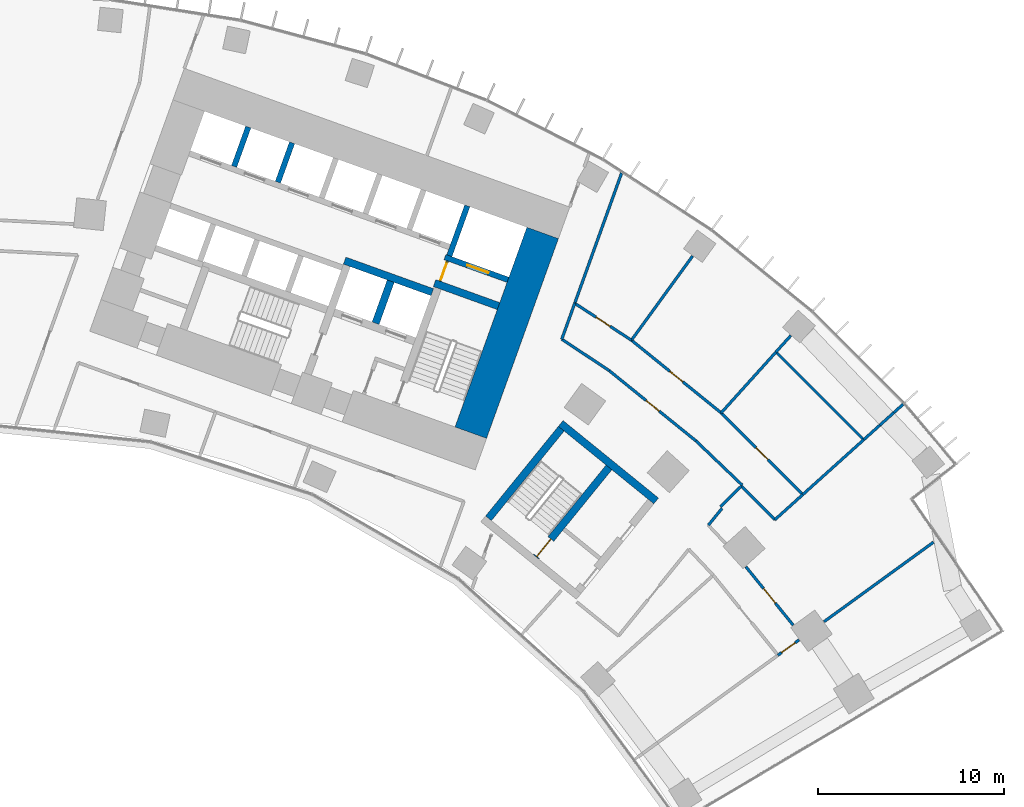
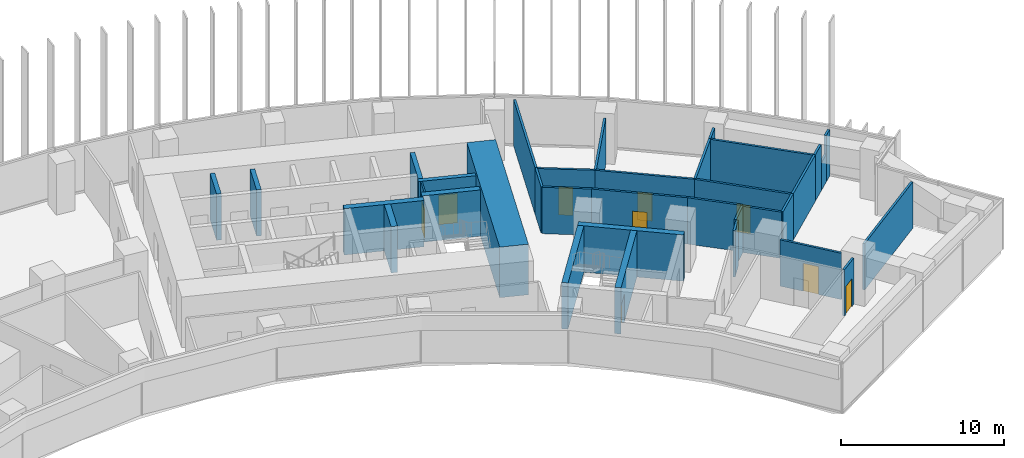
# One storey, part 21 of 24: 35 walls, 9 doors, 9 openings.
"""IFC4 building model written with IfcOpenShell, lengths in metres."""

from ifc_helpers import new_model, si_unit, direction, frame, frame_2d, origin, place, context, subcontext, project, spatial, rectangle, extrude, material, layer, layer_set, type_object, element, fill, save


model = new_model("IFC4")

# Units and contexts
model_context = context("Model", 3, precision=1e-05, world=origin(), true_north=direction((0.0, 1.0)))
body_context = subcontext(model_context, "Body", "Model", "MODEL_VIEW")
ifc_project = project(units=[si_unit("LENGTHUNIT", "METRE"), si_unit("AREAUNIT", "SQUARE_METRE"), si_unit("VOLUMEUNIT", "CUBIC_METRE"), si_unit("PLANEANGLEUNIT", "RADIAN"), si_unit("MASSUNIT", "GRAM", prefix="KILO")], contexts=[model_context])

# Site, building, storey
site_placement = place(None, origin())
site = spatial("IfcSite", under=ifc_project, at=site_placement, CompositionType="ELEMENT")
building_placement = place(site_placement, origin())
building = spatial("IfcBuilding", under=site, at=building_placement, Name="Stone Belt Terrace Tower", CompositionType="ELEMENT")
storey_placement = place(building_placement, frame((0.0, 0.0, 41.39990234375)))
storey = spatial("IfcBuildingStorey", under=building, at=storey_placement, Name="L09", CompositionType="ELEMENT", Elevation=41.39990234375)

# Wall, opening, door
ifc_material_1 = material(Name="Plasterboard partition")
ifc_layer_1 = layer(ifc_material_1, 0.10009765625)
ifc_layer_set_1 = layer_set([ifc_layer_1], Name="Core partition 100")
wall_type_1 = type_object("IfcWallType", Name="Core partition 100", PredefinedType="PARTITIONING", material=ifc_layer_set_1)
wall_1_placement = place(storey_placement, frame((24.555908203125, 51.10400390625, 0.0), z_axis=(0.0, 0.0, 1.0), x_axis=(0.338621735342, 0.94092258999, 0.0)))
wall_1 = element("IfcWall", 1, at=wall_1_placement, inside=storey, type_object=wall_type_1, Name="Core B wall", PredefinedType="PARTITIONING", context=body_context, shape_type="SweptSolid", body=[
    extrude(rectangle(XDim=1.14990234375, YDim=0.10009765625, at=frame_2d((0.574951171875, 0.0))), origin(), (0.0, 0.0, 1.0), 3.47998046875),
])
opening_1_placement = place(wall_1_placement, frame((0.050048828125, 0.0, 0.0)))
opening_1 = element("IfcOpeningElement", 2, at=opening_1_placement, cuts=wall_1, Name="Opening L09-C10", PredefinedType="OPENING", context=body_context, shape_type="SweptSolid", body=[
    extrude(rectangle(XDim=1.0, YDim=2.10009765625, at=frame_2d((0.5, 1.050048828125))), frame((0.0, 0.06005859375, 0.0), z_axis=(0.0, -1.0, 0.0), x_axis=(1.0, 0.0, 0.0)), (0.0, 0.0, 1.0), 0.1201171875),
])
ifc_material_2 = material(Name="Timber door leaf", Category="wood")
door_type_1 = type_object("IfcDoorType", Name="Core room door 1000", OperationType="SINGLE_SWING_LEFT", PredefinedType="DOOR", material=ifc_material_2)
door_1_placement = place(opening_1_placement, origin())
door_1 = element("IfcDoor", 3, at=door_1_placement, inside=storey, type_object=door_type_1, Name="Service lift lobby door core B", OperationType="SINGLE_SWING_LEFT", OverallHeight=2.10009765625, OverallWidth=1.0, PredefinedType="DOOR", context=body_context, shape_type="SweptSolid", body=[
    extrude(rectangle(XDim=1.0, YDim=2.10009765625, at=frame_2d((0.5, 1.050048828125))), frame((0.0, 0.02490234375, 0.0), z_axis=(0.0, -1.0, 0.0), x_axis=(1.0, 0.0, 0.0)), (0.0, 0.0, 1.0), 0.050048828125),
])
fill(opening_1, door_1)

# Walls
ifc_material_3 = material(Name="Concrete B80", Category="concrete")
ifc_layer_2 = layer(ifc_material_3, 1.800048828125)
ifc_layer_set_2 = layer_set([ifc_layer_2], Name="Core wall 1800 B80")
wall_type_2 = type_object("IfcWallType", Name="Core wall 1800 B80", PredefinedType="SHEAR", material=ifc_layer_set_2)
wall_2_placement = place(storey_placement, frame((26.197509765625, 42.96728515625, 0.0), z_axis=(0.0, 0.0, 1.0), x_axis=(0.338625431531, 0.940921259788, 0.0)))
element("IfcWall", 4, at=wall_2_placement, inside=storey, type_object=wall_type_2, Name="Core B wall end_b L09", PredefinedType="SHEAR", context=body_context, shape_type="SweptSolid", body=[
    extrude(rectangle(XDim=11.400146484375, YDim=1.800048828125, at=frame_2d((5.7001953125, 0.0))), origin(), (0.0, 0.0, 1.0), 3.800048828125),
])
ifc_layer_3 = layer(ifc_material_3, 0.39990234375)
ifc_layer_set_3 = layer_set([ifc_layer_3], Name="Fire-fighting lift shaft wall 400")
wall_type_3 = type_object("IfcWallType", Name="Fire-fighting lift shaft wall 400", PredefinedType="SHEAR", material=ifc_layer_set_3)
wall_3_placement = place(storey_placement, frame((24.130615234375, 50.512939453125, 0.0), z_axis=(0.0, 0.0, 1.0), x_axis=(-0.94091168377, 0.338652038744, 0.0)))
element("IfcWall", 5, at=wall_3_placement, inside=storey, type_object=wall_type_3, Name="Core B wall", PredefinedType="SHEAR", context=body_context, shape_type="SweptSolid", body=[
    extrude(rectangle(XDim=5.000244140625, YDim=0.39990234375, at=frame_2d((2.5, 0.0))), origin(), (0.0, 0.0, 1.0), 3.47998046875),
])
wall_4_placement = place(storey_placement, frame((21.0859375, 48.845458984375, 0.0), z_axis=(0.0, 0.0, 1.0), x_axis=(0.338629416206, 0.940919825745, 0.0)))
element("IfcWall", 6, at=wall_4_placement, inside=storey, type_object=wall_type_3, Name="Core B wall", PredefinedType="SHEAR", context=body_context, shape_type="SweptSolid", body=[
    extrude(rectangle(XDim=2.400146484375, YDim=0.39990234375, at=frame_2d((1.2001953125, 0.0))), origin(), (0.0, 0.0, 1.0), 3.47998046875),
])

# Wall, opening, door
ifc_layer_4 = layer(ifc_material_3, 0.300048828125)
ifc_layer_set_4 = layer_set([ifc_layer_4], Name="Lift shaft wall 300")
wall_type_4 = type_object("IfcWallType", Name="Lift shaft wall 300", PredefinedType="SHEAR", material=ifc_layer_set_4)
wall_5_placement = place(storey_placement, frame((28.195068359375, 51.17578125, 0.0), z_axis=(0.0, 0.0, 1.0), x_axis=(-0.940901243567, 0.338681044427, 0.0)))
wall_5 = element("IfcWall", 7, at=wall_5_placement, inside=storey, type_object=wall_type_4, Name="Core B wall", PredefinedType="SHEAR", context=body_context, shape_type="SweptSolid", body=[
    extrude(rectangle(XDim=3.599853515625, YDim=0.300048828125, at=frame_2d((1.7998046875, 0.0))), origin(), (0.0, 0.0, 1.0), 3.47998046875),
])
opening_2_placement = place(wall_5_placement, frame((1.1201171875, 0.0, 0.0)))
opening_2 = element("IfcOpeningElement", 8, at=opening_2_placement, cuts=wall_5, Name="Opening L09-LD18", PredefinedType="OPENING", context=body_context, shape_type="SweptSolid", body=[
    extrude(rectangle(XDim=1.199951171875, YDim=2.199951171875, at=frame_2d((0.60009765625, 1.10009765625))), frame((0.0, 0.159912109375, 0.0), z_axis=(0.0, -1.0, 0.0), x_axis=(1.0, 0.0, 0.0)), (0.0, 0.0, 1.0), 0.320068359375),
])
ifc_material_4 = material(Name="Stainless steel door leaf", Category="steel")
door_type_2 = type_object("IfcDoorType", Name="Landing door 1200", OperationType="SLIDING_TO_LEFT", PredefinedType="DOOR", material=ifc_material_4)
door_2_placement = place(opening_2_placement, origin())
door_2 = element("IfcDoor", 9, at=door_2_placement, inside=storey, type_object=door_type_2, Name="Landing door SV1 core B", OperationType="SLIDING_TO_LEFT", OverallHeight=2.199951171875, OverallWidth=1.199951171875, PredefinedType="DOOR", context=body_context, shape_type="SweptSolid", body=[
    extrude(rectangle(XDim=1.199951171875, YDim=2.199951171875, at=frame_2d((0.60009765625, 1.10009765625))), frame((0.0, 0.02490234375, 0.0), z_axis=(0.0, -1.0, 0.0), x_axis=(1.0, 0.0, 0.0)), (0.0, 0.0, 1.0), 0.050048828125),
])
fill(opening_2, door_2)

# Walls
wall_6_placement = place(storey_placement, frame((25.046875, 52.46826171875, 0.0), z_axis=(0.0, 0.0, 1.0), x_axis=(0.338549588058, 0.940948551423, 0.0)))
element("IfcWall", 10, at=wall_6_placement, inside=storey, type_object=wall_type_4, Name="Core B wall", PredefinedType="SHEAR", context=body_context, shape_type="SweptSolid", body=[
    extrude(rectangle(XDim=2.849853515625, YDim=0.300048828125, at=frame_2d((1.4248046875, 0.0))), origin(), (0.0, 0.0, 1.0), 3.47998046875),
])
wall_7_placement = place(storey_placement, frame((15.8408203125, 56.419189453125, 0.0), z_axis=(0.0, 0.0, 1.0), x_axis=(0.338569601369, 0.940941350472, 0.0)))
element("IfcWall", 11, at=wall_7_placement, inside=storey, type_object=wall_type_4, Name="Core B wall", PredefinedType="SHEAR", context=body_context, shape_type="SweptSolid", body=[
    extrude(rectangle(XDim=2.249755859375, YDim=0.300048828125, at=frame_2d((1.125, 0.0))), origin(), (0.0, 0.0, 1.0), 3.47998046875),
])
wall_8_placement = place(storey_placement, frame((13.48828125, 57.265625, 0.0), z_axis=(0.0, 0.0, 1.0), x_axis=(0.338631098537, 0.940919220286, 0.0)))
element("IfcWall", 12, at=wall_8_placement, inside=storey, type_object=wall_type_4, Name="Core B wall", PredefinedType="SHEAR", context=body_context, shape_type="SweptSolid", body=[
    extrude(rectangle(XDim=2.250244140625, YDim=0.300048828125, at=frame_2d((1.125, 0.0))), origin(), (0.0, 0.0, 1.0), 3.47998046875),
])
ifc_material_5 = material(Name="Gypsum board partition")
ifc_layer_5 = layer(ifc_material_5, 0.14990234375)
ifc_layer_set_5 = layer_set([ifc_layer_5], Name="PARTITION 150 EI 60")
wall_type_5 = type_object("IfcWallType", Name="PARTITION 150 EI 60", PredefinedType="PARTITIONING", material=ifc_layer_set_5)
wall_9_placement = place(storey_placement, frame((31.781982421875, 49.922119140625, 0.0), z_axis=(0.0, 0.0, 1.0), x_axis=(-0.338669131868, -0.940905531454, 0.0)))
element("IfcWall", 13, at=wall_9_placement, inside=storey, type_object=wall_type_5, Name="L09/wall/i026", PredefinedType="PARTITIONING", context=body_context, shape_type="SweptSolid", body=[
    extrude(rectangle(XDim=2.06103515625, YDim=0.14990234375, at=frame_2d((1.030517578125, 0.0))), origin(), (0.0, 0.0, 1.0), 3.47998046875),
])
wall_10_placement = place(storey_placement, frame((34.298095703125, 56.91015625, 0.0), z_axis=(0.0, 0.0, 1.0), x_axis=(-0.338711334353, -0.94089034004, 0.0)))
element("IfcWall", 14, at=wall_10_placement, inside=storey, type_object=wall_type_5, Name="L09/wall/i027", PredefinedType="PARTITIONING", context=body_context, shape_type="SweptSolid", body=[
    extrude(rectangle(XDim=7.43994140625, YDim=0.14990234375, at=frame_2d((3.719970703125, 0.0))), origin(), (0.0, 0.0, 1.0), 3.47998046875),
])

# Wall, opening, door
wall_11_placement = place(storey_placement, frame((43.824951171875, 31.839599609375, 0.0), z_axis=(0.0, 0.0, 1.0), x_axis=(-0.809165251575, -0.587581139626, 0.0)))
wall_11 = element("IfcWall", 15, at=wall_11_placement, inside=storey, type_object=wall_type_5, Name="L09/wall/i061", PredefinedType="PARTITIONING", context=body_context, shape_type="SweptSolid", body=[
    extrude(rectangle(XDim=1.4013671875, YDim=0.14990234375, at=frame_2d((0.70068359375, 0.0))), origin(), (0.0, 0.0, 1.0), 3.47998046875),
])
opening_3_placement = place(wall_11_placement, frame((0.250732421875, 0.0, 0.0)))
opening_3 = element("IfcOpeningElement", 16, at=opening_3_placement, cuts=wall_11, Name="Opening D-A2-20", PredefinedType="OPENING", context=body_context, shape_type="SweptSolid", body=[
    extrude(rectangle(XDim=0.89990234375, YDim=2.10009765625, at=frame_2d((0.449951171875, 1.050048828125))), frame((0.0, 0.0849609375, 0.0), z_axis=(0.0, -1.0, 0.0), x_axis=(1.0, 0.0, 0.0)), (0.0, 0.0, 1.0), 0.169921875),
])
door_type_3 = type_object("IfcDoorType", Name="OFFICE DOOR 900 X 2100", OperationType="NOTDEFINED", PredefinedType="DOOR", material=ifc_material_2)
door_3_placement = place(opening_3_placement, origin())
door_3 = element("IfcDoor", 17, at=door_3_placement, inside=storey, type_object=door_type_3, Name="L09/door/i20", OperationType="SINGLE_SWING_RIGHT", OverallHeight=2.10009765625, OverallWidth=0.89990234375, PredefinedType="DOOR", context=body_context, shape_type="SweptSolid", body=[
    extrude(rectangle(XDim=0.89990234375, YDim=2.10009765625, at=frame_2d((0.449951171875, 1.050048828125))), frame((0.0, 0.02490234375, 0.0), z_axis=(0.0, -1.0, 0.0), x_axis=(1.0, 0.0, 0.0)), (0.0, 0.0, 1.0), 0.050048828125),
])
fill(opening_3, door_3)

# Walls
wall_12_placement = place(storey_placement, frame((45.167236328125, 32.816162109375, 0.0), z_axis=(0.0, 0.0, 1.0), x_axis=(0.809049744422, 0.587740173078, 0.0)))
element("IfcWall", 18, at=wall_12_placement, inside=storey, type_object=wall_type_5, Name="L09/wall/i063-1", PredefinedType="PARTITIONING", context=body_context, shape_type="SweptSolid", body=[
    extrude(rectangle(XDim=7.267578125, YDim=0.14990234375, at=frame_2d((3.6337890625, 0.0))), origin(), (0.0, 0.0, 1.0), 3.47998046875),
])
wall_13_placement = place(storey_placement, frame((31.0859375, 47.988037109375, 0.0), z_axis=(0.0, 0.0, 1.0), x_axis=(0.833238850842, -0.552913209688, 0.0)))
element("IfcWall", 19, at=wall_13_placement, inside=storey, type_object=wall_type_5, Name="L09/wall/i064", PredefinedType="PARTITIONING", context=body_context, shape_type="SweptSolid", body=[
    extrude(rectangle(XDim=3.060302734375, YDim=0.14990234375, at=frame_2d((1.5302734375, 0.0))), origin(), (0.0, 0.0, 1.0), 3.47998046875),
])

# Wall, opening, door
wall_14_placement = place(storey_placement, frame((33.635986328125, 46.2958984375, 0.0), z_axis=(0.0, 0.0, 1.0), x_axis=(0.77714422733, -0.629322532513, 0.0)))
wall_14 = element("IfcWall", 20, at=wall_14_placement, inside=storey, type_object=wall_type_5, Name="L09/wall/i065", PredefinedType="PARTITIONING", context=body_context, shape_type="SweptSolid", body=[
    extrude(rectangle(XDim=5.98876953125, YDim=0.14990234375, at=frame_2d((2.994384765625, 0.0))), origin(), (0.0, 0.0, 1.0), 3.47998046875),
])
opening_4_placement = place(wall_14_placement, frame((2.54443359375, 0.0, 0.0)))
opening_4 = element("IfcOpeningElement", 21, at=opening_4_placement, cuts=wall_14, Name="Opening D-A2-24", PredefinedType="OPENING", context=body_context, shape_type="SweptSolid", body=[
    extrude(rectangle(XDim=0.89990234375, YDim=2.10009765625, at=frame_2d((0.449951171875, 1.050048828125))), frame((0.0, 0.0849609375, 0.0), z_axis=(0.0, -1.0, 0.0), x_axis=(1.0, 0.0, 0.0)), (0.0, 0.0, 1.0), 0.169921875),
])
door_4_placement = place(opening_4_placement, origin())
door_4 = element("IfcDoor", 22, at=door_4_placement, inside=storey, type_object=door_type_3, Name="L09/door/i24", OperationType="SINGLE_SWING_RIGHT", OverallHeight=2.10009765625, OverallWidth=0.89990234375, PredefinedType="DOOR", context=body_context, shape_type="SweptSolid", body=[
    extrude(rectangle(XDim=0.89990234375, YDim=2.10009765625, at=frame_2d((0.449951171875, 1.050048828125))), frame((0.0, 0.02490234375, 0.0), z_axis=(0.0, -1.0, 0.0), x_axis=(1.0, 0.0, 0.0)), (0.0, 0.0, 1.0), 0.050048828125),
])
fill(opening_4, door_4)

# Walls
wall_15_placement = place(storey_placement, frame((38.291015625, 42.52587890625, 0.0), z_axis=(0.0, 0.0, 1.0), x_axis=(0.722780468826, -0.691077704664, 0.0)))
element("IfcWall", 23, at=wall_15_placement, inside=storey, type_object=wall_type_5, Name="L09/wall/i066", PredefinedType="PARTITIONING", context=body_context, shape_type="SweptSolid", body=[
    extrude(rectangle(XDim=3.4423828125, YDim=0.14990234375, at=frame_2d((1.72119140625, 0.0))), origin(), (0.0, 0.0, 1.0), 3.47998046875),
])
wall_16_placement = place(storey_placement, frame((40.72802734375, 40.096923828125, 0.0), z_axis=(0.0, 0.0, 1.0), x_axis=(-0.712511967549, -0.7016599576, 0.0)))
element("IfcWall", 24, at=wall_16_placement, inside=storey, type_object=wall_type_5, Name="L09/wall/i067", PredefinedType="PARTITIONING", context=body_context, shape_type="SweptSolid", body=[
    extrude(rectangle(XDim=1.57470703125, YDim=0.14990234375, at=frame_2d((0.787353515625, 0.0))), origin(), (0.0, 0.0, 1.0), 3.47998046875),
])

# Wall, opening, door
wall_17_placement = place(storey_placement, frame((40.96875, 35.771484375, 0.0), z_axis=(0.0, 0.0, 1.0), x_axis=(0.629347927528, -0.777123662049, 0.0)))
wall_17 = element("IfcWall", 25, at=wall_17_placement, inside=storey, type_object=wall_type_5, Name="L09/wall/i071", PredefinedType="PARTITIONING", context=body_context, shape_type="SweptSolid", body=[
    extrude(rectangle(XDim=4.034423828125, YDim=0.14990234375, at=frame_2d((2.01708984375, 0.0))), origin(), (0.0, 0.0, 1.0), 3.47998046875),
])
opening_5_placement = place(wall_17_placement, frame((1.517333984375, 0.0, 0.0)))
opening_5 = element("IfcOpeningElement", 26, at=opening_5_placement, cuts=wall_17, Name="Opening D-A2-28", PredefinedType="OPENING", context=body_context, shape_type="SweptSolid", body=[
    extrude(rectangle(XDim=1.0, YDim=2.10009765625, at=frame_2d((0.5, 1.050048828125))), frame((0.0, 0.0849609375, 0.0), z_axis=(0.0, -1.0, 0.0), x_axis=(1.0, 0.0, 0.0)), (0.0, 0.0, 1.0), 0.169921875),
])
ifc_material_6 = material(Name="Timber fire door leaf", Category="wood")
door_type_4 = type_object("IfcDoorType", Name="TENANCY ENTRANCE DOOR 1000 X 2100", OperationType="NOTDEFINED", PredefinedType="DOOR", material=ifc_material_6)
door_5_placement = place(opening_5_placement, origin())
door_5 = element("IfcDoor", 27, at=door_5_placement, inside=storey, type_object=door_type_4, Name="L09/door/i28", OperationType="SINGLE_SWING_RIGHT", OverallHeight=2.10009765625, OverallWidth=1.0, PredefinedType="DOOR", context=body_context, shape_type="SweptSolid", body=[
    extrude(rectangle(XDim=1.0, YDim=2.10009765625, at=frame_2d((0.5, 1.050048828125))), frame((0.0, 0.02490234375, 0.0), z_axis=(0.0, -1.0, 0.0), x_axis=(1.0, 0.0, 0.0)), (0.0, 0.0, 1.0), 0.050048828125),
])
fill(opening_5, door_5)

# Wall
wall_18_placement = place(storey_placement, frame((39.695068359375, 38.908935546875, 0.0), z_axis=(0.0, 0.0, 1.0), x_axis=(-0.630443636726, -0.776235029428, 0.0)))
element("IfcWall", 28, at=wall_18_placement, inside=storey, type_object=wall_type_5, Name="L09/wall/i074", PredefinedType="PARTITIONING", context=body_context, shape_type="SweptSolid", body=[
    extrude(rectangle(XDim=1.172119140625, YDim=0.14990234375, at=frame_2d((0.5859375, 0.0))), origin(), (0.0, 0.0, 1.0), 3.47998046875),
])

# Wall, opening, door
wall_19_placement = place(storey_placement, frame((31.780029296875, 49.916015625, 0.0), z_axis=(0.0, 0.0, 1.0), x_axis=(0.838179507416, -0.545394456653, 0.0)))
wall_19 = element("IfcWall", 29, at=wall_19_placement, inside=storey, type_object=wall_type_5, Name="L09/wall/i077", PredefinedType="PARTITIONING", context=body_context, shape_type="SweptSolid", body=[
    extrude(rectangle(XDim=3.634033203125, YDim=0.14990234375, at=frame_2d((1.81689453125, 0.0))), origin(), (0.0, 0.0, 1.0), 3.47998046875),
])
opening_6_placement = place(wall_19_placement, frame((1.366943359375, 0.0, 0.0)))
opening_6 = element("IfcOpeningElement", 30, at=opening_6_placement, cuts=wall_19, Name="Opening D-A2-25", PredefinedType="OPENING", context=body_context, shape_type="SweptSolid", body=[
    extrude(rectangle(XDim=0.89990234375, YDim=2.10009765625, at=frame_2d((0.449951171875, 1.050048828125))), frame((0.0, 0.0849609375, 0.0), z_axis=(0.0, -1.0, 0.0), x_axis=(1.0, 0.0, 0.0)), (0.0, 0.0, 1.0), 0.169921875),
])
door_6_placement = place(opening_6_placement, origin())
door_6 = element("IfcDoor", 31, at=door_6_placement, inside=storey, type_object=door_type_3, Name="L09/door/i25", OperationType="SINGLE_SWING_RIGHT", OverallHeight=2.10009765625, OverallWidth=0.89990234375, PredefinedType="DOOR", context=body_context, shape_type="SweptSolid", body=[
    extrude(rectangle(XDim=0.89990234375, YDim=2.10009765625, at=frame_2d((0.449951171875, 1.050048828125))), frame((0.0, 0.02490234375, 0.0), z_axis=(0.0, -1.0, 0.0), x_axis=(1.0, 0.0, 0.0)), (0.0, 0.0, 1.0), 0.050048828125),
])
fill(opening_6, door_6)

wall_20_placement = place(storey_placement, frame((34.825927734375, 47.93408203125, 0.0), z_axis=(0.0, 0.0, 1.0), x_axis=(0.777094493267, -0.629383943658, 0.0)))
wall_20 = element("IfcWall", 32, at=wall_20_placement, inside=storey, type_object=wall_type_5, Name="L09/wall/i078", PredefinedType="PARTITIONING", context=body_context, shape_type="SweptSolid", body=[
    extrude(rectangle(XDim=6.201416015625, YDim=0.14990234375, at=frame_2d((3.1005859375, 0.0))), origin(), (0.0, 0.0, 1.0), 3.47998046875),
])
opening_7_placement = place(wall_20_placement, frame((2.650634765625, 0.0, 0.0)))
opening_7 = element("IfcOpeningElement", 33, at=opening_7_placement, cuts=wall_20, Name="Opening D-A2-26", PredefinedType="OPENING", context=body_context, shape_type="SweptSolid", body=[
    extrude(rectangle(XDim=0.89990234375, YDim=2.10009765625, at=frame_2d((0.449951171875, 1.050048828125))), frame((0.0, 0.0849609375, 0.0), z_axis=(0.0, -1.0, 0.0), x_axis=(1.0, 0.0, 0.0)), (0.0, 0.0, 1.0), 0.169921875),
])
door_7_placement = place(opening_7_placement, origin())
door_7 = element("IfcDoor", 34, at=door_7_placement, inside=storey, type_object=door_type_3, Name="L09/door/i26", OperationType="SINGLE_SWING_RIGHT", OverallHeight=2.10009765625, OverallWidth=0.89990234375, PredefinedType="DOOR", context=body_context, shape_type="SweptSolid", body=[
    extrude(rectangle(XDim=0.89990234375, YDim=2.10009765625, at=frame_2d((0.449951171875, 1.050048828125))), frame((0.0, 0.02490234375, 0.0), z_axis=(0.0, -1.0, 0.0), x_axis=(1.0, 0.0, 0.0)), (0.0, 0.0, 1.0), 0.050048828125),
])
fill(opening_7, door_7)

wall_21_placement = place(storey_placement, frame((39.64501953125, 44.031005859375, 0.0), z_axis=(0.0, 0.0, 1.0), x_axis=(0.707106781187, -0.707106781187, 0.0)))
wall_21 = element("IfcWall", 35, at=wall_21_placement, inside=storey, type_object=wall_type_5, Name="L09/wall/i079", PredefinedType="PARTITIONING", context=body_context, shape_type="SweptSolid", body=[
    extrude(rectangle(XDim=6.201416015625, YDim=0.14990234375, at=frame_2d((3.1005859375, 0.0))), origin(), (0.0, 0.0, 1.0), 3.47998046875),
])
opening_8_placement = place(wall_21_placement, frame((2.650634765625, 0.0, 0.0)))
opening_8 = element("IfcOpeningElement", 36, at=opening_8_placement, cuts=wall_21, Name="Opening D-A2-27", PredefinedType="OPENING", context=body_context, shape_type="SweptSolid", body=[
    extrude(rectangle(XDim=0.89990234375, YDim=2.10009765625, at=frame_2d((0.449951171875, 1.050048828125))), frame((0.0, 0.0849609375, 0.0), z_axis=(0.0, -1.0, 0.0), x_axis=(1.0, 0.0, 0.0)), (0.0, 0.0, 1.0), 0.169921875),
])
door_8_placement = place(opening_8_placement, origin())
door_8 = element("IfcDoor", 37, at=door_8_placement, inside=storey, type_object=door_type_3, Name="L09/door/i27", OperationType="SINGLE_SWING_RIGHT", OverallHeight=2.10009765625, OverallWidth=0.89990234375, PredefinedType="DOOR", context=body_context, shape_type="SweptSolid", body=[
    extrude(rectangle(XDim=0.89990234375, YDim=2.10009765625, at=frame_2d((0.449951171875, 1.050048828125))), frame((0.0, 0.02490234375, 0.0), z_axis=(0.0, -1.0, 0.0), x_axis=(1.0, 0.0, 0.0)), (0.0, 0.0, 1.0), 0.050048828125),
])
fill(opening_8, door_8)

# Walls
wall_22_placement = place(storey_placement, frame((44.030029296875, 39.64599609375, 0.0), z_axis=(0.0, 0.0, 1.0), x_axis=(-0.742988249307, -0.669304460908, 0.0)))
element("IfcWall", 38, at=wall_22_placement, inside=storey, type_object=wall_type_5, Name="L09/wall/i080", PredefinedType="PARTITIONING", context=body_context, shape_type="SweptSolid", body=[
    extrude(rectangle(XDim=2.0244140625, YDim=0.14990234375, at=frame_2d((1.01220703125, 0.0))), origin(), (0.0, 0.0, 1.0), 3.47998046875),
])
wall_23_placement = place(storey_placement, frame((42.52587890625, 38.291015625, 0.0), z_axis=(0.0, 0.0, 1.0), x_axis=(-0.707058875846, 0.707154683282, 0.0)))
element("IfcWall", 39, at=wall_23_placement, inside=storey, type_object=wall_type_5, Name="L09/wall/i081", PredefinedType="PARTITIONING", context=body_context, shape_type="SweptSolid", body=[
    extrude(rectangle(XDim=2.54833984375, YDim=0.14990234375, at=frame_2d((1.274169921875, 0.0))), origin(), (0.0, 0.0, 1.0), 3.47998046875),
])
wall_24_placement = place(storey_placement, frame((38.1083984375, 52.45166015625, 0.0), z_axis=(0.0, 0.0, 1.0), x_axis=(-0.587815499828, -0.80899501739, 0.0)))
element("IfcWall", 40, at=wall_24_placement, inside=storey, type_object=wall_type_5, Name="L09/wall/i082", PredefinedType="PARTITIONING", context=body_context, shape_type="SweptSolid", body=[
    extrude(rectangle(XDim=5.584228515625, YDim=0.14990234375, at=frame_2d((2.7919921875, 0.0))), origin(), (0.0, 0.0, 1.0), 3.47998046875),
])
wall_25_placement = place(storey_placement, frame((42.593017578125, 47.304931640625, 0.0), z_axis=(0.0, 0.0, 1.0), x_axis=(-0.669148410698, -0.743128793992, 0.0)))
element("IfcWall", 41, at=wall_25_placement, inside=storey, type_object=wall_type_5, Name="L09/wall/i083", PredefinedType="PARTITIONING", context=body_context, shape_type="SweptSolid", body=[
    extrude(rectangle(XDim=4.405517578125, YDim=0.14990234375, at=frame_2d((2.20263671875, 0.0))), origin(), (0.0, 0.0, 1.0), 3.47998046875),
])
wall_26_placement = place(storey_placement, frame((43.3818359375, 48.181396484375, 0.0), z_axis=(0.0, 0.0, 1.0), x_axis=(-0.669440512964, -0.742865667266, 0.0)))
element("IfcWall", 42, at=wall_26_placement, inside=storey, type_object=wall_type_5, Name="L09/wall/i084", PredefinedType="PARTITIONING", context=body_context, shape_type="SweptSolid", body=[
    extrude(rectangle(XDim=1.1904296875, YDim=0.14990234375, at=frame_2d((0.59521484375, 0.0))), origin(), (0.0, 0.0, 1.0), 3.47998046875),
])
wall_27_placement = place(storey_placement, frame((42.589111328125, 47.301025390625, 0.0), z_axis=(0.0, 0.0, 1.0), x_axis=(0.707106781187, -0.707106781187, 0.0)))
element("IfcWall", 43, at=wall_27_placement, inside=storey, type_object=wall_type_5, Name="L09/wall/i085", PredefinedType="PARTITIONING", context=body_context, shape_type="SweptSolid", body=[
    extrude(rectangle(XDim=6.662353515625, YDim=0.14990234375, at=frame_2d((3.3310546875, 0.0))), origin(), (0.0, 0.0, 1.0), 3.47998046875),
])
wall_28_placement = place(storey_placement, frame((47.300048828125, 42.590087890625, 0.0), z_axis=(0.0, 0.0, 1.0), x_axis=(-0.743172740326, -0.669099602478, 0.0)))
element("IfcWall", 44, at=wall_28_placement, inside=storey, type_object=wall_type_5, Name="L09/wall/i086", PredefinedType="PARTITIONING", context=body_context, shape_type="SweptSolid", body=[
    extrude(rectangle(XDim=4.400146484375, YDim=0.14990234375, at=frame_2d((2.2001953125, 0.0))), origin(), (0.0, 0.0, 1.0), 3.47998046875),
])
wall_29_placement = place(storey_placement, frame((49.418212890625, 44.496826171875, 0.0), z_axis=(0.0, 0.0, 1.0), x_axis=(-0.743294146247, -0.668964731622, 0.0)))
element("IfcWall", 45, at=wall_29_placement, inside=storey, type_object=wall_type_5, Name="L09/wall/i087-1", PredefinedType="PARTITIONING", context=body_context, shape_type="SweptSolid", body=[
    extrude(rectangle(XDim=0.676513671875, YDim=0.14990234375, at=frame_2d((0.33837890625, 0.0))), origin(), (0.0, 0.0, 1.0), 3.47998046875),
])
wall_30_placement = place(storey_placement, frame((48.915283203125, 44.044189453125, 0.0), z_axis=(0.0, 0.0, 1.0), x_axis=(-0.743197462043, -0.669072142906, 0.0)))
element("IfcWall", 46, at=wall_30_placement, inside=storey, type_object=wall_type_5, Name="L09/wall/i087-2", PredefinedType="PARTITIONING", context=body_context, shape_type="SweptSolid", body=[
    extrude(rectangle(XDim=1.004638671875, YDim=0.14990234375, at=frame_2d((0.50244140625, 0.0))), origin(), (0.0, 0.0, 1.0), 2.080078125),
])
wall_31_placement = place(storey_placement, frame((48.168701171875, 43.3720703125, 0.0), z_axis=(0.0, 0.0, 1.0), x_axis=(-0.743211048337, -0.669057051103, 0.0)))
element("IfcWall", 47, at=wall_31_placement, inside=storey, type_object=wall_type_5, Name="L09/wall/i087-3", PredefinedType="PARTITIONING", context=body_context, shape_type="SweptSolid", body=[
    extrude(rectangle(XDim=1.168701171875, YDim=0.14990234375, at=frame_2d((0.58447265625, 0.0))), origin(), (0.0, 0.0, 1.0), 3.47998046875),
])
ifc_layer_6 = layer(ifc_material_3, 0.39990234375)
ifc_layer_set_6 = layer_set([ifc_layer_6], Name="Stair enclosure wall 400")
wall_type_6 = type_object("IfcWallType", Name="Stair enclosure wall 400", PredefinedType="SHEAR", material=ifc_layer_set_6)
wall_32_placement = place(storey_placement, frame((27.687255859375, 49.764404296875, 0.0), z_axis=(0.0, 0.0, 1.0), x_axis=(-0.940918954884, 0.338631835981, 0.0)))
element("IfcWall", 48, at=wall_32_placement, inside=storey, type_object=wall_type_6, Name="Core B wall", PredefinedType="SHEAR", context=body_context, shape_type="SweptSolid", body=[
    extrude(rectangle(XDim=3.650146484375, YDim=0.39990234375, at=frame_2d((1.8251953125, 0.0))), origin(), (0.0, 0.0, 1.0), 3.47998046875),
])
wall_33_placement = place(storey_placement, frame((31.02783203125, 43.46337890625, 0.0), z_axis=(0.0, 0.0, 1.0), x_axis=(0.776413760801, -0.630223509589, 0.0)))
element("IfcWall", 49, at=wall_33_placement, inside=storey, type_object=wall_type_6, Name="Exit stair ST3B wall", PredefinedType="SHEAR", context=body_context, shape_type="SweptSolid", body=[
    extrude(rectangle(XDim=6.599853515625, YDim=0.39990234375, at=frame_2d((3.2998046875, 0.0))), origin(), (0.0, 0.0, 1.0), 3.47998046875),
])
wall_34_placement = place(storey_placement, frame((27.149658203125, 38.3681640625, 0.0), z_axis=(0.0, 0.0, 1.0), x_axis=(0.630211551729, 0.776423466973, 0.0)))
element("IfcWall", 50, at=wall_34_placement, inside=storey, type_object=wall_type_6, Name="Exit stair ST3B wall", PredefinedType="SHEAR", context=body_context, shape_type="SweptSolid", body=[
    extrude(rectangle(XDim=6.199951171875, YDim=0.39990234375, at=frame_2d((3.10009765625, 0.0))), origin(), (0.0, 0.0, 1.0), 3.47998046875),
])

# Wall, opening, door
wall_35_placement = place(storey_placement, frame((29.7119140625, 36.288330078125, 0.0), z_axis=(0.0, 0.0, 1.0), x_axis=(0.630192283849, 0.776439106033, 0.0)))
wall_35 = element("IfcWall", 51, at=wall_35_placement, inside=storey, type_object=wall_type_6, Name="Exit stair ST3B wall", PredefinedType="SHEAR", context=body_context, shape_type="SweptSolid", body=[
    extrude(rectangle(XDim=6.199951171875, YDim=0.39990234375, at=frame_2d((3.10009765625, 0.0))), origin(), (0.0, 0.0, 1.0), 3.47998046875),
])
opening_9_placement = place(wall_35_placement, frame((0.050048828125, 0.0, 0.0)))
opening_9 = element("IfcOpeningElement", 52, at=opening_9_placement, cuts=wall_35, Name="Opening L09-C22", PredefinedType="OPENING", context=body_context, shape_type="SweptSolid", body=[
    extrude(rectangle(XDim=1.199951171875, YDim=2.10009765625, at=frame_2d((0.60009765625, 1.050048828125))), frame((0.0, 0.2099609375, 0.0), z_axis=(0.0, -1.0, 0.0), x_axis=(1.0, 0.0, 0.0)), (0.0, 0.0, 1.0), 0.419921875),
])
ifc_material_7 = material(Name="Steel door leaf", Category="steel")
door_type_5 = type_object("IfcDoorType", Name="Stair door 1200", OperationType="SINGLE_SWING_LEFT", PredefinedType="DOOR", material=ifc_material_7)
door_9_placement = place(opening_9_placement, origin())
door_9 = element("IfcDoor", 53, at=door_9_placement, inside=storey, type_object=door_type_5, Name="Stair door ST3B", OperationType="SINGLE_SWING_LEFT", OverallHeight=2.10009765625, OverallWidth=1.199951171875, PredefinedType="DOOR", context=body_context, shape_type="SweptSolid", body=[
    extrude(rectangle(XDim=1.199951171875, YDim=2.10009765625, at=frame_2d((0.60009765625, 1.050048828125))), frame((0.0, 0.02490234375, 0.0), z_axis=(0.0, -1.0, 0.0), x_axis=(1.0, 0.0, 0.0)), (0.0, 0.0, 1.0), 0.050048828125),
])
fill(opening_9, door_9)

save(model, "model.ifc")
